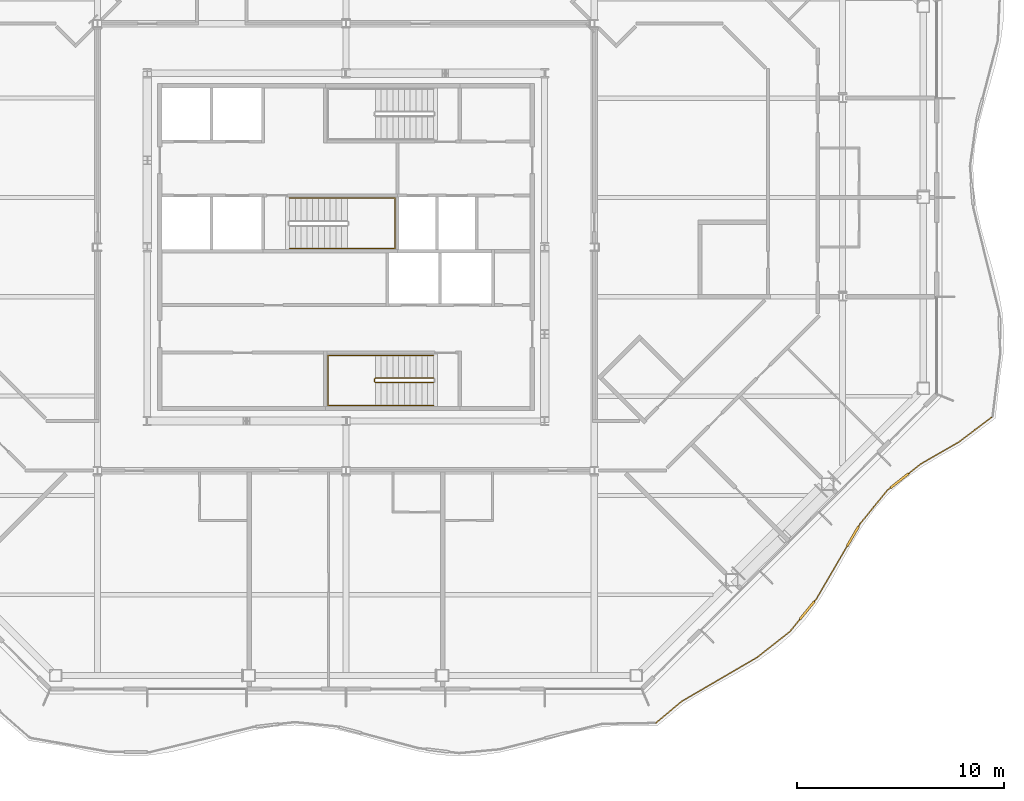
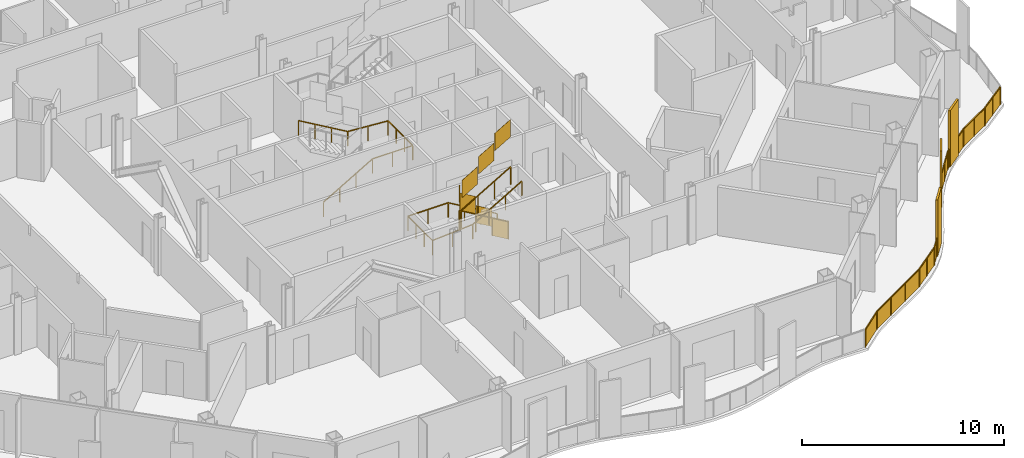
# One storey, part 17 of 21: 4 railings.
"""IFC4 building model written with IfcOpenShell, lengths in metres."""

from ifc_helpers import new_model, si_unit, direction, frame, origin, origin_2d, place, context, subcontext, project, spatial, polyline, rectangle, outline, extrude, material, type_object, element, save


model = new_model("IFC4")

# Units and contexts
model_context = context("Model", 3, precision=1e-05, world=origin(), true_north=direction((0.0, 1.0)))
body_context = subcontext(model_context, "Body", "Model", "MODEL_VIEW")
ifc_project = project(units=[si_unit("LENGTHUNIT", "METRE"), si_unit("AREAUNIT", "SQUARE_METRE"), si_unit("VOLUMEUNIT", "CUBIC_METRE"), si_unit("PLANEANGLEUNIT", "RADIAN"), si_unit("MASSUNIT", "GRAM", prefix="KILO")], contexts=[model_context])

# Site, building, storey
site_placement = place(None, origin())
site = spatial("IfcSite", under=ifc_project, at=site_placement, CompositionType="ELEMENT")
building_placement = place(site_placement, origin())
building = spatial("IfcBuilding", under=site, at=building_placement, Name="Cairn Pilgrim Tower", CompositionType="ELEMENT")
storey_placement = place(building_placement, frame((0.0, 0.0, 161.39990234375)))
storey = spatial("IfcBuildingStorey", under=building, at=storey_placement, Name="L40", CompositionType="ELEMENT", Elevation=161.39990234375)

# Railings
ifc_material_1 = material(Name="Bronze anodised aluminium rail, posts and fin screens with laminated glass infill", Category="aluminium")
railing_type_1 = type_object("IfcRailingType", Name="BALCONY GUARD WITH FIN SCREENS", PredefinedType="GUARDRAIL", material=ifc_material_1)
railing_1_placement = place(storey_placement, frame((22.180908203125, -20.587646484375, 0.0)))
element("IfcRailing", 1, at=railing_1_placement, inside=storey, type_object=railing_type_1, Name="Balcony guard BGF-2 with fin screens", PredefinedType="GUARDRAIL", context=body_context, shape_type="SweptSolid", body=[
    extrude(rectangle(XDim=0.050048828125, YDim=0.050048828125, at=origin_2d()), frame((0.0, 0.0, 1.0751953125), z_axis=(0.766712840977, 0.641990202013, 0.0), x_axis=(-0.641990202013, 0.766712840977, 0.0)), (0.0, 0.0, 1.0), 1.620849609375),
    extrude(rectangle(XDim=0.050048828125, YDim=0.050048828125, at=origin_2d()), frame((1.24267578125, 1.04052734375, 1.0751953125), z_axis=(0.864030907885, 0.503438765113, 0.0), x_axis=(-0.503438765113, 0.864030907885, 0.0)), (0.0, 0.0, 1.0), 4.214599609375),
    extrude(rectangle(XDim=0.050048828125, YDim=0.050048828125, at=origin_2d()), frame((4.88427734375, 3.162353515625, 1.0751953125), z_axis=(0.785752848969, 0.618540589078, 0.0), x_axis=(-0.618540589078, 0.785752848969, 0.0)), (0.0, 0.0, 1.0), 2.023681640625),
    extrude(rectangle(XDim=1.10009765625, YDim=0.110107421875, at=origin_2d()), frame((7.305419921875, 5.438232421875, 0.0), z_axis=(0.0, 0.0, 1.0), x_axis=(0.63009176056, 0.776520684383, 0.0)), (0.0, 0.0, 1.0), 3.39990234375),
    extrude(rectangle(XDim=0.050048828125, YDim=0.050048828125, at=origin_2d()), frame((6.474365234375, 4.4140625, 1.0751953125), z_axis=(0.63009176056, 0.776520684383, 0.0), x_axis=(-0.776520684383, 0.63009176056, 0.0)), (0.0, 0.0, 1.0), 0.76904296875),
    extrude(rectangle(XDim=0.050048828125, YDim=0.050048828125, at=origin_2d()), frame((7.652099609375, 5.865478515625, 1.0751953125), z_axis=(0.63009176056, 0.776520684383, 0.0), x_axis=(-0.776520684383, 0.63009176056, 0.0)), (0.0, 0.0, 1.0), 0.150146484375),
    extrude(rectangle(XDim=1.10009765625, YDim=0.110107421875, at=origin_2d()), frame((9.513671875, 9.017578125, 0.0), z_axis=(0.0, 0.0, 1.0), x_axis=(0.503106904181, 0.864224185594, 0.0)), (0.0, 0.0, 1.0), 3.39990234375),
    extrude(rectangle(XDim=0.050048828125, YDim=0.050048828125, at=origin_2d()), frame((7.74658203125, 5.98193359375, 1.0751953125), z_axis=(0.503106904181, 0.864224185594, 0.0), x_axis=(-0.864224185594, 0.503106904181, 0.0)), (0.0, 0.0, 1.0), 2.96240234375),
    extrude(rectangle(XDim=0.050048828125, YDim=0.050048828125, at=origin_2d()), frame((9.79052734375, 9.492919921875, 1.0751953125), z_axis=(0.503106904181, 0.864224185594, 0.0), x_axis=(-0.864224185594, 0.503106904181, 0.0)), (0.0, 0.0, 1.0), 0.150146484375),
    extrude(rectangle(XDim=0.050048828125, YDim=0.050048828125, at=origin_2d()), frame((9.865966796875, 9.62255859375, 1.0751953125), z_axis=(0.630158611908, 0.776466434457, 0.0), x_axis=(-0.776466434457, 0.630158611908, 0.0)), (0.0, 0.0, 1.0), 2.075927734375),
    extrude(rectangle(XDim=1.10009765625, YDim=0.110107421875, at=origin_2d()), frame((11.770263671875, 11.70361328125, 0.0), z_axis=(0.0, 0.0, 1.0), x_axis=(0.78582897109, 0.618443876351, 0.0)), (0.0, 0.0, 1.0), 3.39990234375),
    extrude(rectangle(XDim=0.050048828125, YDim=0.050048828125, at=origin_2d()), frame((11.174072265625, 11.234375, 1.0751953125), z_axis=(0.78582897109, 0.618443876351, 0.0), x_axis=(-0.618443876351, 0.78582897109, 0.0)), (0.0, 0.0, 1.0), 0.208740234375),
    extrude(rectangle(XDim=0.050048828125, YDim=0.050048828125, at=origin_2d()), frame((12.20263671875, 12.043701171875, 1.0751953125), z_axis=(0.78582897109, 0.618443876351, 0.0), x_axis=(-0.618443876351, 0.78582897109, 0.0)), (0.0, 0.0, 1.0), 0.769775390625),
    extrude(rectangle(XDim=0.050048828125, YDim=0.050048828125, at=origin_2d()), frame((12.807373046875, 12.519775390625, 1.0751953125), z_axis=(0.867044954431, 0.498229913791, 0.0), x_axis=(-0.498229913791, 0.867044954431, 0.0)), (0.0, 0.0, 1.0), 2.111083984375),
    extrude(rectangle(XDim=0.050048828125, YDim=0.050048828125, at=origin_2d()), frame((14.6376953125, 13.571533203125, 1.0751953125), z_axis=(0.797171508885, 0.603752917527, 0.0), x_axis=(-0.603752917527, 0.797171508885, 0.0)), (0.0, 0.0, 1.0), 1.97412109375),
    extrude(rectangle(XDim=0.050048828125, YDim=0.050048828125, at=origin_2d()), origin(), (0.0, 0.0, 1.0), 1.050048828125),
    extrude(rectangle(XDim=0.050048828125, YDim=0.050048828125, at=origin_2d()), frame((1.24267578125, 1.04052734375, 0.0)), (0.0, 0.0, 1.0), 1.050048828125),
    extrude(rectangle(XDim=0.050048828125, YDim=0.050048828125, at=origin_2d()), frame((2.45654296875, 1.747802734375, 0.0)), (0.0, 0.0, 1.0), 1.050048828125),
    extrude(rectangle(XDim=0.050048828125, YDim=0.050048828125, at=origin_2d()), frame((3.67041015625, 2.455078125, 0.0)), (0.0, 0.0, 1.0), 1.050048828125),
    extrude(rectangle(XDim=0.050048828125, YDim=0.050048828125, at=origin_2d()), frame((4.88427734375, 3.162353515625, 0.0)), (0.0, 0.0, 1.0), 1.050048828125),
    extrude(rectangle(XDim=0.050048828125, YDim=0.050048828125, at=origin_2d()), frame((5.67919921875, 3.7880859375, 0.0)), (0.0, 0.0, 1.0), 1.050048828125),
    extrude(rectangle(XDim=0.050048828125, YDim=0.050048828125, at=origin_2d()), frame((6.474365234375, 4.4140625, 0.0)), (0.0, 0.0, 1.0), 1.050048828125),
    extrude(rectangle(XDim=0.050048828125, YDim=0.050048828125, at=origin_2d()), frame((6.943115234375, 4.99169921875, 0.0)), (0.0, 0.0, 1.0), 1.050048828125),
    extrude(rectangle(XDim=0.050048828125, YDim=0.050048828125, at=origin_2d()), frame((7.667724609375, 5.884765625, 0.0)), (0.0, 0.0, 1.0), 1.050048828125),
    extrude(rectangle(XDim=0.050048828125, YDim=0.050048828125, at=origin_2d()), frame((7.74658203125, 5.98193359375, 0.0)), (0.0, 0.0, 1.0), 1.050048828125),
    extrude(rectangle(XDim=0.050048828125, YDim=0.050048828125, at=origin_2d()), frame((8.485595703125, 7.251220703125, 0.0)), (0.0, 0.0, 1.0), 1.050048828125),
    extrude(rectangle(XDim=0.050048828125, YDim=0.050048828125, at=origin_2d()), frame((9.224365234375, 8.5205078125, 0.0)), (0.0, 0.0, 1.0), 1.050048828125),
    extrude(rectangle(XDim=0.050048828125, YDim=0.050048828125, at=origin_2d()), frame((9.802978515625, 9.514404296875, 0.0)), (0.0, 0.0, 1.0), 1.050048828125),
    extrude(rectangle(XDim=0.050048828125, YDim=0.050048828125, at=origin_2d()), frame((9.865966796875, 9.62255859375, 0.0)), (0.0, 0.0, 1.0), 1.050048828125),
    extrude(rectangle(XDim=0.050048828125, YDim=0.050048828125, at=origin_2d()), frame((10.52001953125, 10.428466796875, 0.0)), (0.0, 0.0, 1.0), 1.050048828125),
    extrude(rectangle(XDim=0.050048828125, YDim=0.050048828125, at=origin_2d()), frame((11.174072265625, 11.234375, 0.0)), (0.0, 0.0, 1.0), 1.050048828125),
    extrude(rectangle(XDim=0.050048828125, YDim=0.050048828125, at=origin_2d()), frame((11.318359375, 11.347900390625, 0.0)), (0.0, 0.0, 1.0), 1.050048828125),
    extrude(rectangle(XDim=0.050048828125, YDim=0.050048828125, at=origin_2d()), frame((12.22216796875, 12.059326171875, 0.0)), (0.0, 0.0, 1.0), 1.050048828125),
    extrude(rectangle(XDim=0.050048828125, YDim=0.050048828125, at=origin_2d()), frame((12.807373046875, 12.519775390625, 0.0)), (0.0, 0.0, 1.0), 1.050048828125),
    extrude(rectangle(XDim=0.050048828125, YDim=0.050048828125, at=origin_2d()), frame((13.72265625, 13.045654296875, 0.0)), (0.0, 0.0, 1.0), 1.050048828125),
    extrude(rectangle(XDim=0.050048828125, YDim=0.050048828125, at=origin_2d()), frame((14.6376953125, 13.571533203125, 0.0)), (0.0, 0.0, 1.0), 1.050048828125),
    extrude(rectangle(XDim=0.050048828125, YDim=0.050048828125, at=origin_2d()), frame((15.424560546875, 14.16748046875, 0.0)), (0.0, 0.0, 1.0), 1.050048828125),
    extrude(rectangle(XDim=0.050048828125, YDim=0.050048828125, at=origin_2d()), frame((16.21142578125, 14.763427734375, 0.0)), (0.0, 0.0, 1.0), 1.050048828125),
    extrude(outline(polyline([(0.02490234375, 0.0), (1.595703125, 0.0), (1.595703125, 1.050048828125), (0.02490234375, 1.050048828125), (0.02490234375, 0.0)])), frame((-0.00390625, 0.004638671875, 0.0), z_axis=(0.641990202013, -0.766712840977, 0.0), x_axis=(0.766712840977, 0.641990202013, 0.0)), (0.0, 0.0, 1.0), 0.011962890625),
    extrude(outline(polyline([(0.02490234375, 0.0), (1.3798828125, 0.0), (1.3798828125, 1.050048828125), (0.02490234375, 1.050048828125), (0.02490234375, 0.0)])), frame((1.23974609375, 1.045654296875, 0.0), z_axis=(0.503438765113, -0.864030907885, 0.0), x_axis=(0.864030907885, 0.503438765113, 0.0)), (0.0, 0.0, 1.0), 0.011962890625),
    extrude(outline(polyline([(0.02490234375, 0.0), (1.3798828125, 0.0), (1.3798828125, 1.050048828125), (0.02490234375, 1.050048828125), (0.02490234375, 0.0)])), frame((2.45361328125, 1.7529296875, 0.0), z_axis=(0.503438765113, -0.864030907885, 0.0), x_axis=(0.864030907885, 0.503438765113, 0.0)), (0.0, 0.0, 1.0), 0.011962890625),
    extrude(outline(polyline([(0.02490234375, 0.0), (1.3798828125, 0.0), (1.3798828125, 1.050048828125), (0.02490234375, 1.050048828125), (0.02490234375, 0.0)])), frame((3.66748046875, 2.460205078125, 0.0), z_axis=(0.503438765113, -0.864030907885, 0.0), x_axis=(0.864030907885, 0.503438765113, 0.0)), (0.0, 0.0, 1.0), 0.011962890625),
    extrude(outline(polyline([(0.02490234375, 0.0), (0.98681640625, 0.0), (0.98681640625, 1.050048828125), (0.02490234375, 1.050048828125), (0.02490234375, 0.0)])), frame((4.880615234375, 3.1669921875, 0.0), z_axis=(0.618540589078, -0.785752848969, 0.0), x_axis=(0.785752848969, 0.618540589078, 0.0)), (0.0, 0.0, 1.0), 0.011962890625),
    extrude(outline(polyline([(0.02490234375, 0.0), (0.98681640625, 0.0), (0.98681640625, 1.050048828125), (0.02490234375, 1.050048828125), (0.02490234375, 0.0)])), frame((5.675537109375, 3.79296875, 0.0), z_axis=(0.618540589078, -0.785752848969, 0.0), x_axis=(0.785752848969, 0.618540589078, 0.0)), (0.0, 0.0, 1.0), 0.011962890625),
    extrude(outline(polyline([(0.02490234375, 0.0), (0.718994140625, 0.0), (0.718994140625, 1.050048828125), (0.02490234375, 1.050048828125), (0.02490234375, 0.0)])), frame((6.4697265625, 4.417724609375, 0.0), z_axis=(0.776520684383, -0.63009176056, 0.0), x_axis=(0.63009176056, 0.776520684383, 0.0)), (0.0, 0.0, 1.0), 0.011962890625),
    extrude(outline(polyline([(0.02490234375, 0.0), (0.10009765625, 0.0), (0.10009765625, 1.050048828125), (0.02490234375, 1.050048828125), (0.02490234375, 0.0)])), frame((7.6630859375, 5.888671875, 0.0), z_axis=(0.776520684383, -0.63009176056, 0.0), x_axis=(0.63009176056, 0.776520684383, 0.0)), (0.0, 0.0, 1.0), 0.011962890625),
    extrude(outline(polyline([(0.02490234375, 0.0), (1.443603515625, 0.0), (1.443603515625, 1.050048828125), (0.02490234375, 1.050048828125), (0.02490234375, 0.0)])), frame((7.741455078125, 5.98486328125, 0.0), z_axis=(0.864224185594, -0.503106904181, 0.0), x_axis=(0.503106904181, 0.864224185594, 0.0)), (0.0, 0.0, 1.0), 0.011962890625),
    extrude(outline(polyline([(0.02490234375, 0.0), (1.443603515625, 0.0), (1.443603515625, 1.050048828125), (0.02490234375, 1.050048828125), (0.02490234375, 0.0)])), frame((8.480224609375, 7.254150390625, 0.0), z_axis=(0.864224185594, -0.503106904181, 0.0), x_axis=(0.503106904181, 0.864224185594, 0.0)), (0.0, 0.0, 1.0), 0.011962890625),
    extrude(outline(polyline([(0.02490234375, 0.0), (0.10009765625, 0.0), (0.10009765625, 1.050048828125), (0.02490234375, 1.050048828125), (0.02490234375, 0.0)])), frame((9.7978515625, 9.517578125, 0.0), z_axis=(0.864224185594, -0.503106904181, 0.0), x_axis=(0.503106904181, 0.864224185594, 0.0)), (0.0, 0.0, 1.0), 0.011962890625),
    extrude(outline(polyline([(0.02490234375, 0.0), (1.012939453125, 0.0), (1.012939453125, 1.050048828125), (0.02490234375, 1.050048828125), (0.02490234375, 0.0)])), frame((9.861328125, 9.626220703125, 0.0), z_axis=(0.776466434457, -0.630158611908, 0.0), x_axis=(0.630158611908, 0.776466434457, 0.0)), (0.0, 0.0, 1.0), 0.011962890625),
    extrude(outline(polyline([(0.02490234375, 0.0), (1.012939453125, 0.0), (1.012939453125, 1.050048828125), (0.02490234375, 1.050048828125), (0.02490234375, 0.0)])), frame((10.515380859375, 10.43212890625, 0.0), z_axis=(0.776466434457, -0.630158611908, 0.0), x_axis=(0.630158611908, 0.776466434457, 0.0)), (0.0, 0.0, 1.0), 0.011962890625),
    extrude(outline(polyline([(0.02490234375, 0.0), (0.15869140625, 0.0), (0.15869140625, 1.050048828125), (0.02490234375, 1.050048828125), (0.02490234375, 0.0)])), frame((11.17041015625, 11.239013671875, 0.0), z_axis=(0.618443876351, -0.78582897109, 0.0), x_axis=(0.78582897109, 0.618443876351, 0.0)), (0.0, 0.0, 1.0), 0.011962890625),
    extrude(outline(polyline([(0.02490234375, 0.0), (0.7197265625, 0.0), (0.7197265625, 1.050048828125), (0.02490234375, 1.050048828125), (0.02490234375, 0.0)])), frame((12.218505859375, 12.06396484375, 0.0), z_axis=(0.618443876351, -0.78582897109, 0.0), x_axis=(0.78582897109, 0.618443876351, 0.0)), (0.0, 0.0, 1.0), 0.011962890625),
    extrude(outline(polyline([(0.02490234375, 0.0), (1.030517578125, 0.0), (1.030517578125, 1.050048828125), (0.02490234375, 1.050048828125), (0.02490234375, 0.0)])), frame((12.804443359375, 12.52490234375, 0.0), z_axis=(0.498229913791, -0.867044954431, 0.0), x_axis=(0.867044954431, 0.498229913791, 0.0)), (0.0, 0.0, 1.0), 0.011962890625),
    extrude(outline(polyline([(0.02490234375, 0.0), (1.030517578125, 0.0), (1.030517578125, 1.050048828125), (0.02490234375, 1.050048828125), (0.02490234375, 0.0)])), frame((13.719482421875, 13.05078125, 0.0), z_axis=(0.498229913791, -0.867044954431, 0.0), x_axis=(0.867044954431, 0.498229913791, 0.0)), (0.0, 0.0, 1.0), 0.011962890625),
    extrude(outline(polyline([(0.02490234375, 0.0), (0.962158203125, 0.0), (0.962158203125, 1.050048828125), (0.02490234375, 1.050048828125), (0.02490234375, 0.0)])), frame((14.634033203125, 13.576416015625, 0.0), z_axis=(0.603752917527, -0.797171508885, 0.0), x_axis=(0.797171508885, 0.603752917527, 0.0)), (0.0, 0.0, 1.0), 0.011962890625),
    extrude(outline(polyline([(0.02490234375, 0.0), (0.962158203125, 0.0), (0.962158203125, 1.050048828125), (0.02490234375, 1.050048828125), (0.02490234375, 0.0)])), frame((15.4208984375, 14.17236328125, 0.0), z_axis=(0.603752917527, -0.797171508885, 0.0), x_axis=(0.797171508885, 0.603752917527, 0.0)), (0.0, 0.0, 1.0), 0.011962890625),
])
ifc_material_2 = material(Name="Painted steel", Category="steel")
railing_type_2 = type_object("IfcRailingType", Name="STAIR GUARD 1100", PredefinedType="GUARDRAIL", material=ifc_material_2)
railing_2_placement = place(storey_placement, frame((11.425048828125, -3.925048828125, 0.163818359375)))
element("IfcRailing", 2, at=railing_2_placement, inside=storey, type_object=railing_type_2, Name="L40 ST-A stair guard 1", PredefinedType="GUARDRAIL", context=body_context, shape_type="SweptSolid", body=[
    extrude(rectangle(XDim=0.048095703125, YDim=0.048095703125, at=origin_2d()), frame((0.0, 0.0, 1.076171875), z_axis=(-0.863393664356, 0.0, 0.504530851732), x_axis=(0.0, -1.0, 0.0)), (0.0, 0.0, 1.0), 3.2431640625),
    extrude(rectangle(XDim=0.048095703125, YDim=0.048095703125, at=origin_2d()), frame((-2.800048828125, 0.0, 2.71240234375), z_axis=(-0.707106781187, -0.707106781187, 0.0), x_axis=(0.707106781187, -0.707106781187, 0.0)), (0.0, 0.0, 1.0), 0.07080078125),
    extrude(rectangle(XDim=0.048095703125, YDim=0.048095703125, at=origin_2d()), frame((-2.85009765625, -0.050048828125, 2.71240234375), z_axis=(0.0, -1.0, 0.0), x_axis=(1.0, 0.0, 0.0)), (0.0, 0.0, 1.0), 0.125),
    extrude(rectangle(XDim=0.048095703125, YDim=0.048095703125, at=origin_2d()), frame((-2.85009765625, -0.175048828125, 2.71240234375), z_axis=(0.280916556609, -0.279546231943, 0.91811752648), x_axis=(0.705375805398, 0.708833529934, 0.0)), (0.0, 0.0, 1.0), 0.17822265625),
    extrude(rectangle(XDim=0.048095703125, YDim=0.048095703125, at=origin_2d()), frame((-2.800048828125, -0.224853515625, 2.8759765625), z_axis=(0.863360870873, 0.0, 0.504586966384), x_axis=(0.0, 1.0, 0.0)), (0.0, 0.0, 1.0), 3.2431640625),
    extrude(rectangle(XDim=0.0419921875, YDim=0.0419921875, at=origin_2d()), origin(), (0.0, 0.0, 1.0), 1.052001953125),
    extrude(rectangle(XDim=0.0419921875, YDim=0.0419921875, at=origin_2d()), frame((-0.933349609375, 0.0, 0.54541015625)), (0.0, 0.0, 1.0), 1.052001953125),
    extrude(rectangle(XDim=0.0419921875, YDim=0.0419921875, at=origin_2d()), frame((-1.86669921875, 0.0, 1.0908203125)), (0.0, 0.0, 1.0), 1.052001953125),
    extrude(rectangle(XDim=0.0419921875, YDim=0.0419921875, at=origin_2d()), frame((-2.800048828125, 0.0, 1.63623046875)), (0.0, 0.0, 1.0), 1.052001953125),
    extrude(rectangle(XDim=0.0419921875, YDim=0.0419921875, at=origin_2d()), frame((-2.85009765625, -0.050048828125, 1.63623046875)), (0.0, 0.0, 1.0), 1.052001953125),
    extrude(rectangle(XDim=0.0419921875, YDim=0.0419921875, at=origin_2d()), frame((-2.85009765625, -0.175048828125, 1.63623046875)), (0.0, 0.0, 1.0), 1.052001953125),
    extrude(rectangle(XDim=0.0419921875, YDim=0.0419921875, at=origin_2d()), frame((-2.800048828125, -0.224853515625, 1.7998046875)), (0.0, 0.0, 1.0), 1.052001953125),
    extrude(rectangle(XDim=0.0419921875, YDim=0.0419921875, at=origin_2d()), frame((-1.86669921875, -0.224853515625, 2.34521484375)), (0.0, 0.0, 1.0), 1.052001953125),
    extrude(rectangle(XDim=0.0419921875, YDim=0.0419921875, at=origin_2d()), frame((-0.933349609375, -0.224853515625, 2.890869140625)), (0.0, 0.0, 1.0), 1.052001953125),
    extrude(rectangle(XDim=0.0419921875, YDim=0.0419921875, at=origin_2d()), frame((0.0, -0.224853515625, 3.436279296875)), (0.0, 0.0, 1.0), 1.052001953125),
    extrude(outline(polyline([(0.02099609375, 0.01220703125), (0.912353515625, 0.533203125), (0.912353515625, 1.585205078125), (0.02099609375, 1.064208984375), (0.02099609375, 0.01220703125)])), frame((0.0, -0.005859375, 0.0), z_axis=(0.0, 1.0, 0.0), x_axis=(-1.0, 0.0, 0.0)), (0.0, 0.0, 1.0), 0.011962890625),
    extrude(outline(polyline([(0.02099609375, 0.5576171875), (0.912353515625, 1.07861328125), (0.912353515625, 2.130615234375), (0.02099609375, 1.609619140625), (0.02099609375, 0.5576171875)])), frame((-0.933349609375, -0.005859375, 0.54541015625), z_axis=(0.0, 1.0, 0.0), x_axis=(-1.0, 0.0, 0.0)), (0.0, 0.0, 1.0), 0.011962890625),
    extrude(outline(polyline([(0.02099609375, 1.10302734375), (0.912353515625, 1.6240234375), (0.912353515625, 2.676025390625), (0.02099609375, 2.155029296875), (0.02099609375, 1.10302734375)])), frame((-1.86669921875, -0.005859375, 1.0908203125), z_axis=(0.0, 1.0, 0.0), x_axis=(-1.0, 0.0, 0.0)), (0.0, 0.0, 1.0), 0.011962890625),
    extrude(outline(polyline([(0.02099609375, 1.63623046875), (0.10400390625, 1.63623046875), (0.10400390625, 2.688232421875), (0.02099609375, 2.688232421875), (0.02099609375, 1.63623046875)])), frame((-2.84423828125, -0.050048828125, 1.63623046875), z_axis=(-1.0, 0.0, 0.0), x_axis=(0.0, -1.0, 0.0)), (0.0, 0.0, 1.0), 0.011962890625),
    extrude(outline(polyline([(0.02099609375, 1.81201171875), (0.912353515625, 2.3330078125), (0.912353515625, 3.385009765625), (0.02099609375, 2.864013671875), (0.02099609375, 1.81201171875)])), frame((-2.800048828125, -0.21875, 1.7998046875), z_axis=(0.0, -1.0, 0.0), x_axis=(1.0, 0.0, 0.0)), (0.0, 0.0, 1.0), 0.011962890625),
    extrude(outline(polyline([(0.02099609375, 2.357666015625), (0.912353515625, 2.87841796875), (0.912353515625, 3.930419921875), (0.02099609375, 3.40966796875), (0.02099609375, 2.357666015625)])), frame((-1.86669921875, -0.21875, 2.34521484375), z_axis=(0.0, -1.0, 0.0), x_axis=(1.0, 0.0, 0.0)), (0.0, 0.0, 1.0), 0.011962890625),
    extrude(outline(polyline([(0.02099609375, 2.903076171875), (0.912353515625, 3.424072265625), (0.912353515625, 4.47607421875), (0.02099609375, 3.955078125), (0.02099609375, 2.903076171875)])), frame((-0.933349609375, -0.21875, 2.890869140625), z_axis=(0.0, -1.0, 0.0), x_axis=(1.0, 0.0, 0.0)), (0.0, 0.0, 1.0), 0.011962890625),
])
railing_type_3 = type_object("IfcRailingType", Name="STAIR HANDRAIL 900", PredefinedType="HANDRAIL", material=ifc_material_2)
railing_3_placement = place(storey_placement, frame((11.425048828125, -2.824951171875, 0.163818359375)))
element("IfcRailing", 3, at=railing_3_placement, inside=storey, type_object=railing_type_3, Name="L40 ST-A stair handrail 1", PredefinedType="HANDRAIL", context=body_context, shape_type="SweptSolid", body=[
    extrude(rectangle(XDim=0.048095703125, YDim=0.048095703125, at=origin_2d()), frame((0.0, 0.0, 0.8759765625), z_axis=(-0.863393664356, 0.0, 0.504530851732), x_axis=(0.0, -1.0, 0.0)), (0.0, 0.0, 1.0), 3.2431640625),
    extrude(rectangle(XDim=0.048095703125, YDim=0.048095703125, at=origin_2d()), frame((-2.800048828125, 0.0, 2.51220703125), z_axis=(-1.0, 0.0, 0.0), x_axis=(0.0, -1.0, 0.0)), (0.0, 0.0, 1.0), 2.300048828125),
    extrude(rectangle(XDim=0.048095703125, YDim=0.048095703125, at=origin_2d()), frame((-5.10009765625, 0.0, 2.51220703125), z_axis=(0.0, -1.0, 0.0), x_axis=(1.0, 0.0, 0.0)), (0.0, 0.0, 1.0), 2.425048828125),
    extrude(rectangle(XDim=0.048095703125, YDim=0.048095703125, at=origin_2d()), frame((-5.10009765625, -2.425048828125, 2.51220703125), z_axis=(0.997480687736, 0.0, 0.070938548008), x_axis=(0.0, 1.0, 0.0)), (0.0, 0.0, 1.0), 2.305908203125),
    extrude(rectangle(XDim=0.048095703125, YDim=0.048095703125, at=origin_2d()), frame((-2.800048828125, -2.425048828125, 2.67578125), z_axis=(0.863360870873, 0.0, 0.504586966384), x_axis=(0.0, 1.0, 0.0)), (0.0, 0.0, 1.0), 3.2431640625),
    extrude(rectangle(XDim=0.0419921875, YDim=0.0419921875, at=origin_2d()), origin(), (0.0, 0.0, 1.0), 0.851806640625),
    extrude(rectangle(XDim=0.0419921875, YDim=0.0419921875, at=origin_2d()), frame((-0.933349609375, 0.0, 0.54541015625)), (0.0, 0.0, 1.0), 0.851806640625),
    extrude(rectangle(XDim=0.0419921875, YDim=0.0419921875, at=origin_2d()), frame((-1.86669921875, 0.0, 1.0908203125)), (0.0, 0.0, 1.0), 0.851806640625),
    extrude(rectangle(XDim=0.0419921875, YDim=0.0419921875, at=origin_2d()), frame((-2.800048828125, 0.0, 1.63623046875)), (0.0, 0.0, 1.0), 0.851806640625),
    extrude(rectangle(XDim=0.0419921875, YDim=0.0419921875, at=origin_2d()), frame((-3.9501953125, 0.0, 1.63623046875)), (0.0, 0.0, 1.0), 0.851806640625),
    extrude(rectangle(XDim=0.0419921875, YDim=0.0419921875, at=origin_2d()), frame((-5.10009765625, 0.0, 1.63623046875)), (0.0, 0.0, 1.0), 0.851806640625),
    extrude(rectangle(XDim=0.0419921875, YDim=0.0419921875, at=origin_2d()), frame((-5.10009765625, -0.808349609375, 1.63623046875)), (0.0, 0.0, 1.0), 0.851806640625),
    extrude(rectangle(XDim=0.0419921875, YDim=0.0419921875, at=origin_2d()), frame((-5.10009765625, -1.61669921875, 1.63623046875)), (0.0, 0.0, 1.0), 0.851806640625),
    extrude(rectangle(XDim=0.0419921875, YDim=0.0419921875, at=origin_2d()), frame((-5.10009765625, -2.425048828125, 1.63623046875)), (0.0, 0.0, 1.0), 0.851806640625),
    extrude(rectangle(XDim=0.0419921875, YDim=0.0419921875, at=origin_2d()), frame((-3.9501953125, -2.425048828125, 1.718017578125)), (0.0, 0.0, 1.0), 0.851806640625),
    extrude(rectangle(XDim=0.0419921875, YDim=0.0419921875, at=origin_2d()), frame((-2.800048828125, -2.425048828125, 1.7998046875)), (0.0, 0.0, 1.0), 0.851806640625),
    extrude(rectangle(XDim=0.0419921875, YDim=0.0419921875, at=origin_2d()), frame((-1.86669921875, -2.425048828125, 2.34521484375)), (0.0, 0.0, 1.0), 0.851806640625),
    extrude(rectangle(XDim=0.0419921875, YDim=0.0419921875, at=origin_2d()), frame((-0.933349609375, -2.425048828125, 2.890869140625)), (0.0, 0.0, 1.0), 0.851806640625),
    extrude(rectangle(XDim=0.0419921875, YDim=0.0419921875, at=origin_2d()), frame((0.0, -2.425048828125, 3.436279296875)), (0.0, 0.0, 1.0), 0.851806640625),
])
railing_4_placement = place(storey_placement, frame((4.47509765625, 2.324951171875, 0.163818359375)))
element("IfcRailing", 4, at=railing_4_placement, inside=storey, type_object=railing_type_3, Name="L40 ST-B stair handrail 1", PredefinedType="HANDRAIL", context=body_context, shape_type="SweptSolid", body=[
    extrude(rectangle(XDim=0.048095703125, YDim=0.048095703125, at=origin_2d()), frame((0.0, 0.0, 0.8759765625), z_axis=(0.863374499697, 0.0, 0.504563646405), x_axis=(0.0, 1.0, 0.0)), (0.0, 0.0, 1.0), 3.242919921875),
    extrude(rectangle(XDim=0.048095703125, YDim=0.048095703125, at=origin_2d()), frame((2.7998046875, 0.0, 2.51220703125), z_axis=(1.0, 0.0, 0.0), x_axis=(0.0, 1.0, 0.0)), (0.0, 0.0, 1.0), 2.300048828125),
    extrude(rectangle(XDim=0.048095703125, YDim=0.048095703125, at=origin_2d()), frame((5.099853515625, 0.0, 2.51220703125), z_axis=(0.0, 1.0, 0.0), x_axis=(-1.0, 0.0, 0.0)), (0.0, 0.0, 1.0), 2.449951171875),
    extrude(rectangle(XDim=0.048095703125, YDim=0.048095703125, at=origin_2d()), frame((5.099853515625, 2.449951171875, 2.51220703125), z_axis=(-0.997480687736, 0.0, 0.070938548008), x_axis=(0.0, -1.0, 0.0)), (0.0, 0.0, 1.0), 2.305908203125),
    extrude(rectangle(XDim=0.048095703125, YDim=0.048095703125, at=origin_2d()), frame((2.7998046875, 2.449951171875, 2.67578125), z_axis=(-0.863341702679, 0.0, 0.504619762213), x_axis=(0.0, -1.0, 0.0)), (0.0, 0.0, 1.0), 3.242919921875),
    extrude(rectangle(XDim=0.0419921875, YDim=0.0419921875, at=origin_2d()), origin(), (0.0, 0.0, 1.0), 0.851806640625),
    extrude(rectangle(XDim=0.0419921875, YDim=0.0419921875, at=origin_2d()), frame((0.933349609375, 0.0, 0.54541015625)), (0.0, 0.0, 1.0), 0.851806640625),
    extrude(rectangle(XDim=0.0419921875, YDim=0.0419921875, at=origin_2d()), frame((1.866455078125, 0.0, 1.0908203125)), (0.0, 0.0, 1.0), 0.851806640625),
    extrude(rectangle(XDim=0.0419921875, YDim=0.0419921875, at=origin_2d()), frame((2.7998046875, 0.0, 1.63623046875)), (0.0, 0.0, 1.0), 0.851806640625),
    extrude(rectangle(XDim=0.0419921875, YDim=0.0419921875, at=origin_2d()), frame((3.94970703125, 0.0, 1.63623046875)), (0.0, 0.0, 1.0), 0.851806640625),
    extrude(rectangle(XDim=0.0419921875, YDim=0.0419921875, at=origin_2d()), frame((5.099853515625, 0.0, 1.63623046875)), (0.0, 0.0, 1.0), 0.851806640625),
    extrude(rectangle(XDim=0.0419921875, YDim=0.0419921875, at=origin_2d()), frame((5.099853515625, 0.816650390625, 1.63623046875)), (0.0, 0.0, 1.0), 0.851806640625),
    extrude(rectangle(XDim=0.0419921875, YDim=0.0419921875, at=origin_2d()), frame((5.099853515625, 1.63330078125, 1.63623046875)), (0.0, 0.0, 1.0), 0.851806640625),
    extrude(rectangle(XDim=0.0419921875, YDim=0.0419921875, at=origin_2d()), frame((5.099853515625, 2.449951171875, 1.63623046875)), (0.0, 0.0, 1.0), 0.851806640625),
    extrude(rectangle(XDim=0.0419921875, YDim=0.0419921875, at=origin_2d()), frame((3.94970703125, 2.449951171875, 1.718017578125)), (0.0, 0.0, 1.0), 0.851806640625),
    extrude(rectangle(XDim=0.0419921875, YDim=0.0419921875, at=origin_2d()), frame((2.7998046875, 2.449951171875, 1.7998046875)), (0.0, 0.0, 1.0), 0.851806640625),
    extrude(rectangle(XDim=0.0419921875, YDim=0.0419921875, at=origin_2d()), frame((1.866455078125, 2.449951171875, 2.34521484375)), (0.0, 0.0, 1.0), 0.851806640625),
    extrude(rectangle(XDim=0.0419921875, YDim=0.0419921875, at=origin_2d()), frame((0.933349609375, 2.449951171875, 2.890869140625)), (0.0, 0.0, 1.0), 0.851806640625),
    extrude(rectangle(XDim=0.0419921875, YDim=0.0419921875, at=origin_2d()), frame((0.0, 2.449951171875, 3.436279296875)), (0.0, 0.0, 1.0), 0.851806640625),
])

save(model, "model.ifc")
